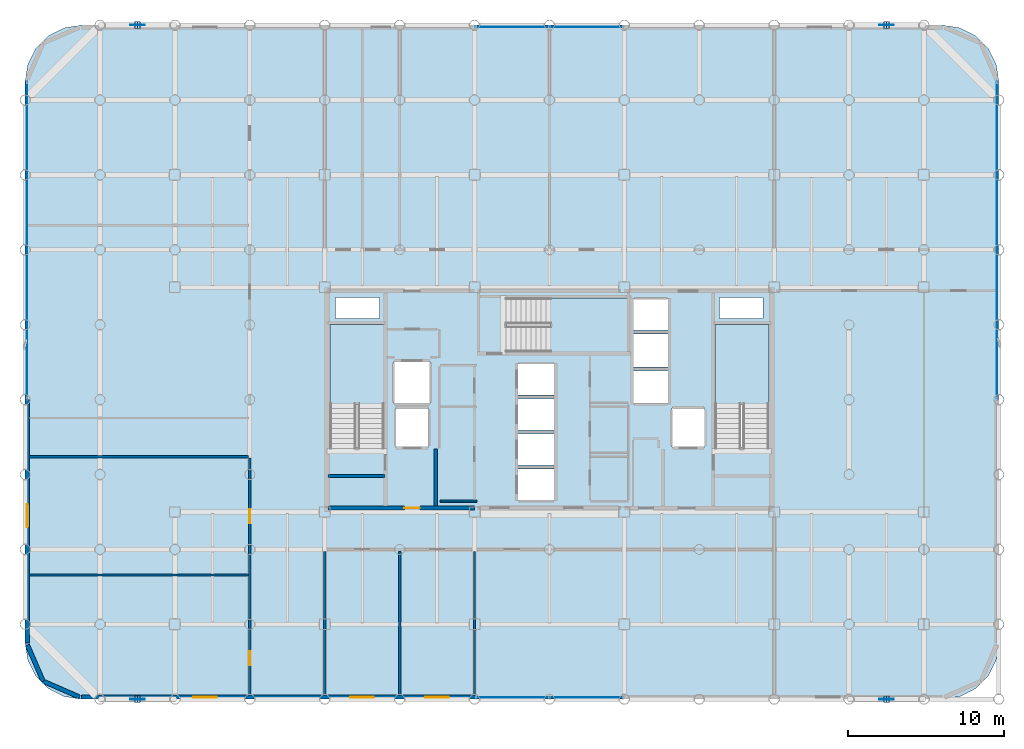
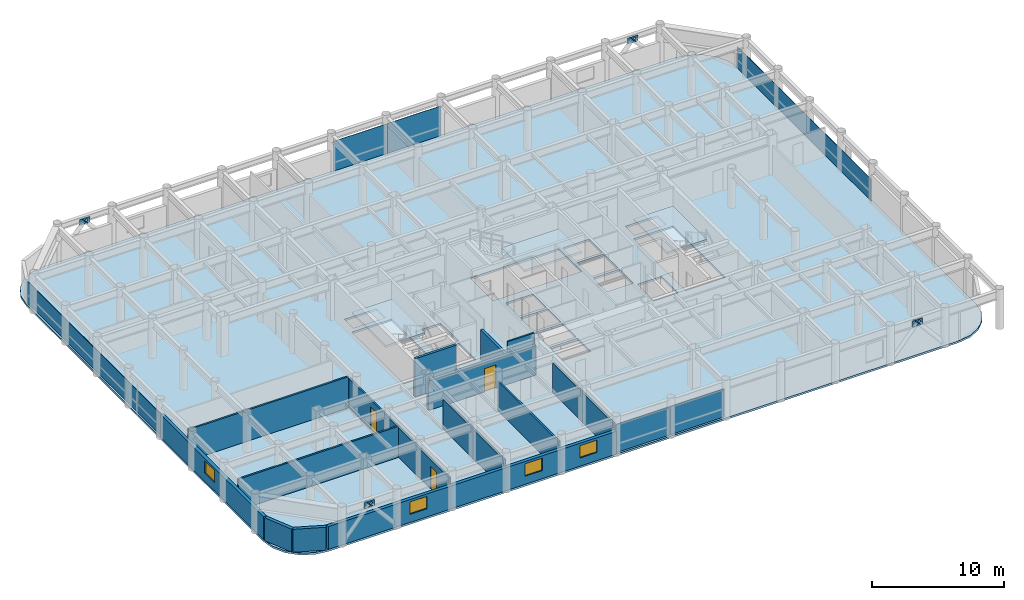
# One storey, part 15 of 19: 18 plates, 14 walls, 4 slabs, 4 windows, 3 doors, 7 openings, 7 elements without a shape of their own.
"""IFC4 building model written with IfcOpenShell, lengths in metres."""

from ifc_helpers import new_model, si_unit, direction, frame, frame_2d, origin, origin_2d, place, context, subcontext, project, spatial, polyline, rectangle, outline, extrude, material, layer, layer_set, type_object, element, fill, aggregate, save


model = new_model("IFC4")

# Units and contexts
model_context = context("Model", 3, precision=1e-05, world=origin(), true_north=direction((0.0, 1.0)))
body_context = subcontext(model_context, "Body", "Model", "MODEL_VIEW")
ifc_project = project(units=[si_unit("LENGTHUNIT", "METRE"), si_unit("AREAUNIT", "SQUARE_METRE"), si_unit("VOLUMEUNIT", "CUBIC_METRE"), si_unit("PLANEANGLEUNIT", "RADIAN"), si_unit("MASSUNIT", "GRAM", prefix="KILO")], contexts=[model_context])

# Site, building, storey
site_placement = place(None, origin())
site = spatial("IfcSite", under=ifc_project, at=site_placement, CompositionType="ELEMENT")
building_placement = place(site_placement, origin())
building = spatial("IfcBuilding", under=site, at=building_placement, Name="Kallvorn Hotel Tower", CompositionType="ELEMENT")
storey_placement = place(building_placement, frame((0.0, 0.0, 147.0)))
storey = spatial("IfcBuildingStorey", under=building, at=storey_placement, Name="L36", CompositionType="ELEMENT", Elevation=147.0)

# Curtain wall, plates
ifc_material_1 = material(Name="Thermally broken black-anodised aluminium AA 6063-T6", Category="aluminium")
ifc_layer_1 = layer(ifc_material_1, 0.2099609375)
ifc_layer_set_1 = layer_set([ifc_layer_1], Name="CW_SYS_4_HOTEL_MID")
curtain_wall_type = type_object("IfcCurtainWallType", Name="CW_SYS_4_HOTEL_MID", PredefinedType="USERDEFINED", material=ifc_layer_set_1)
curtain_wall_1_placement = place(storey_placement, origin())
curtain_wall_1 = element("IfcCurtainWall", 1, at=curtain_wall_1_placement, inside=storey, type_object=curtain_wall_type, Name="L36 Dark-Glass Curtain Wall CW-L36-SC", ObjectType="UNITISED CURTAIN WALL", PredefinedType="USERDEFINED")
ifc_material_2 = material(Name="Double-glazed low-e solar-control dark glass", Category="glass")
ifc_layer_2 = layer(ifc_material_2, 0.037841796875)
ifc_layer_set_2 = layer_set([ifc_layer_2], Name="CW_SYS_4_HOTEL_MID_PANEL")
plate_type_1 = type_object("IfcPlateType", Name="CW_SYS_4_HOTEL_MID_PANEL", PredefinedType="CURTAIN_PANEL", material=ifc_layer_set_2)
plate_1_placement = place(storey_placement, frame((-2.375, -19.080078125, 0.06005859375), z_axis=(0.0, 0.0, 1.0), x_axis=(1.0, 0.0, 0.0)))
plate_1 = element("IfcPlate", 2, at=plate_1_placement, type_object=plate_type_1, Name="CW-L36-SC Vision Glass Panel 00", PredefinedType="CURTAIN_PANEL", context=body_context, shape_type="SweptSolid", body=[
    extrude(rectangle(XDim=4.68994140625, YDim=0.037841796875, at=origin_2d()), origin(), (0.0, 0.0, 1.0), 2.60009765625),
])
plate_2_placement = place(storey_placement, frame((2.375, -19.080078125, 0.06005859375), z_axis=(0.0, 0.0, 1.0), x_axis=(1.0, 0.0, 0.0)))
plate_2 = element("IfcPlate", 3, at=plate_2_placement, type_object=plate_type_1, Name="CW-L36-SC Vision Glass Panel 01", PredefinedType="CURTAIN_PANEL", context=body_context, shape_type="SweptSolid", body=[
    extrude(rectangle(XDim=4.68994140625, YDim=0.037841796875, at=origin_2d()), origin(), (0.0, 0.0, 1.0), 2.60009765625),
])
aggregate(curtain_wall_1, [plate_1, plate_2])

curtain_wall_2_placement = place(storey_placement, origin())
curtain_wall_2 = element("IfcCurtainWall", 4, at=curtain_wall_2_placement, inside=storey, type_object=curtain_wall_type, Name="L36 Dark-Glass Curtain Wall CW-L36-NC", ObjectType="UNITISED CURTAIN WALL", PredefinedType="USERDEFINED")
plate_3_placement = place(storey_placement, frame((-2.375, 23.8798828125, 0.06005859375), z_axis=(0.0, 0.0, 1.0), x_axis=(1.0, 0.0, 0.0)))
plate_3 = element("IfcPlate", 5, at=plate_3_placement, type_object=plate_type_1, Name="CW-L36-NC Vision Glass Panel 00", PredefinedType="CURTAIN_PANEL", context=body_context, shape_type="SweptSolid", body=[
    extrude(rectangle(XDim=4.68994140625, YDim=0.037841796875, at=origin_2d()), origin(), (0.0, 0.0, 1.0), 2.75),
])
plate_4_placement = place(storey_placement, frame((2.375, 23.8798828125, 0.06005859375), z_axis=(0.0, 0.0, 1.0), x_axis=(1.0, 0.0, 0.0)))
plate_4 = element("IfcPlate", 6, at=plate_4_placement, type_object=plate_type_1, Name="CW-L36-NC Vision Glass Panel 01", PredefinedType="CURTAIN_PANEL", context=body_context, shape_type="SweptSolid", body=[
    extrude(rectangle(XDim=4.68994140625, YDim=0.037841796875, at=origin_2d()), origin(), (0.0, 0.0, 1.0), 2.75),
])
aggregate(curtain_wall_2, [plate_3, plate_4])

# Curtain wall, plate
curtain_wall_3_placement = place(storey_placement, origin())
curtain_wall_3 = element("IfcCurtainWall", 7, at=curtain_wall_3_placement, inside=storey, type_object=curtain_wall_type, Name="L36 Dark-Glass Curtain Wall CW-L36-WN", ObjectType="UNITISED CURTAIN WALL", PredefinedType="USERDEFINED")
plate_5_placement = place(storey_placement, frame((-33.47998046875, 10.2099609375, 0.06005859375), z_axis=(0.0, 0.0, 1.0), x_axis=(0.0, 1.0, 0.0)))
plate_5 = element("IfcPlate", 8, at=plate_5_placement, type_object=plate_type_1, Name="CW-L36-WN Vision Glass Panel 00", PredefinedType="CURTAIN_PANEL", context=body_context, shape_type="SweptSolid", body=[
    extrude(rectangle(XDim=20.320068359375, YDim=0.037841796875, at=origin_2d()), origin(), (0.0, 0.0, 1.0), 2.0),
])
aggregate(curtain_wall_3, [plate_5])

curtain_wall_4_placement = place(storey_placement, origin())
curtain_wall_4 = element("IfcCurtainWall", 9, at=curtain_wall_4_placement, inside=storey, type_object=curtain_wall_type, Name="L36 Dark-Glass Curtain Wall CW-L36-EN", ObjectType="UNITISED CURTAIN WALL", PredefinedType="USERDEFINED")
plate_6_placement = place(storey_placement, frame((28.679931640625, 10.2099609375, 0.06005859375), z_axis=(0.0, 0.0, 1.0), x_axis=(0.0, 1.0, 0.0)))
plate_6 = element("IfcPlate", 10, at=plate_6_placement, type_object=plate_type_1, Name="CW-L36-EN Vision Glass Panel 00", PredefinedType="CURTAIN_PANEL", context=body_context, shape_type="SweptSolid", body=[
    extrude(rectangle(XDim=20.320068359375, YDim=0.037841796875, at=origin_2d()), origin(), (0.0, 0.0, 1.0), 2.0),
])
aggregate(curtain_wall_4, [plate_6])

# Plates
ifc_material_3 = material(Name="Structural steel S355JR", Category="steel")
ifc_layer_3 = layer(ifc_material_3, 0.030029296875)
ifc_layer_set_3 = layer_set([ifc_layer_3], Name="PLT_CAP_30")
plate_type_2 = type_object("IfcPlateType", Name="PLT_CAP_30", PredefinedType="SHEET", material=ifc_layer_set_3)
plate_7_placement = place(storey_placement, frame((-26.227294921875, -19.417724609375, 2.876708984375), z_axis=(0.646720691081, 0.0, 0.762726915565), x_axis=(0.0, 1.0, 0.0)))
element("IfcPlate", 11, at=plate_7_placement, inside=storey, type_object=plate_type_2, Name="EXO-L36-S1A End Cap Plate B", PredefinedType="SHEET", context=body_context, shape_type="SweptSolid", body=[
    extrude(outline(polyline([(0.0, 0.0), (0.435546875, 0.0), (0.435546875, 0.4356413597636253), (0.0, 0.4356413597636253), (0.0, 0.0)])), origin(), (0.0, 0.0, -1.0), 0.030029296875),
])
plate_8_placement = place(storey_placement, frame((-26.572509765625, -18.982177734375, 2.876708984375), z_axis=(-0.646997204148, 0.0, 0.762492372306), x_axis=(0.0, -1.0, 0.0)))
element("IfcPlate", 12, at=plate_8_placement, inside=storey, type_object=plate_type_2, Name="EXO-L36-S1B End Cap Plate B", PredefinedType="SHEET", context=body_context, shape_type="SweptSolid", body=[
    extrude(outline(polyline([(0.0, 0.0), (0.435546875, 0.0), (0.435546875, 0.43545517576240456), (0.0, 0.43545517576240456), (0.0, 0.0)])), origin(), (0.0, 0.0, -1.0), 0.030029296875),
])
plate_9_placement = place(storey_placement, frame((21.772705078125, -19.417724609375, 2.876708984375), z_axis=(0.646720691081, 0.0, 0.762726915565), x_axis=(0.0, 1.0, 0.0)))
element("IfcPlate", 13, at=plate_9_placement, inside=storey, type_object=plate_type_2, Name="EXO-L36-S2A End Cap Plate B", PredefinedType="SHEET", context=body_context, shape_type="SweptSolid", body=[
    extrude(outline(polyline([(0.0, 0.0), (0.435546875, 0.0), (0.435546875, 0.4356413597636253), (0.0, 0.4356413597636253), (0.0, 0.0)])), origin(), (0.0, 0.0, -1.0), 0.030029296875),
])
plate_10_placement = place(storey_placement, frame((21.427490234375, -18.982177734375, 2.876708984375), z_axis=(-0.646997204148, 0.0, 0.762492372306), x_axis=(0.0, -1.0, 0.0)))
element("IfcPlate", 14, at=plate_10_placement, inside=storey, type_object=plate_type_2, Name="EXO-L36-S2B End Cap Plate B", PredefinedType="SHEET", context=body_context, shape_type="SweptSolid", body=[
    extrude(outline(polyline([(0.0, 0.0), (0.435546875, 0.0), (0.435546875, 0.43545517576240456), (0.0, 0.43545517576240456), (0.0, 0.0)])), origin(), (0.0, 0.0, -1.0), 0.030029296875),
])
plate_11_placement = place(storey_placement, frame((-26.227294921875, 23.7822265625, 2.876708984375), z_axis=(0.646720691081, 0.0, 0.762726915565), x_axis=(0.0, 1.0, 0.0)))
element("IfcPlate", 15, at=plate_11_placement, inside=storey, type_object=plate_type_2, Name="EXO-L36-N1A End Cap Plate B", PredefinedType="SHEET", context=body_context, shape_type="SweptSolid", body=[
    extrude(outline(polyline([(0.0, 0.0), (0.435546875, 0.0), (0.435546875, 0.4356413597636253), (0.0, 0.4356413597636253), (0.0, 0.0)])), origin(), (0.0, 0.0, -1.0), 0.030029296875),
])
plate_12_placement = place(storey_placement, frame((-26.572509765625, 24.2177734375, 2.876708984375), z_axis=(-0.646997204148, 0.0, 0.762492372306), x_axis=(0.0, -1.0, 0.0)))
element("IfcPlate", 16, at=plate_12_placement, inside=storey, type_object=plate_type_2, Name="EXO-L36-N1B End Cap Plate B", PredefinedType="SHEET", context=body_context, shape_type="SweptSolid", body=[
    extrude(outline(polyline([(0.0, 0.0), (0.435546875, 0.0), (0.435546875, 0.43545517576240456), (0.0, 0.43545517576240456), (0.0, 0.0)])), origin(), (0.0, 0.0, -1.0), 0.030029296875),
])
plate_13_placement = place(storey_placement, frame((21.772705078125, 23.7822265625, 2.876708984375), z_axis=(0.646720691081, 0.0, 0.762726915565), x_axis=(0.0, 1.0, 0.0)))
element("IfcPlate", 17, at=plate_13_placement, inside=storey, type_object=plate_type_2, Name="EXO-L36-N2A End Cap Plate B", PredefinedType="SHEET", context=body_context, shape_type="SweptSolid", body=[
    extrude(outline(polyline([(0.0, 0.0), (0.435546875, 0.0), (0.435546875, 0.4356413597636253), (0.0, 0.4356413597636253), (0.0, 0.0)])), origin(), (0.0, 0.0, -1.0), 0.030029296875),
])
plate_14_placement = place(storey_placement, frame((21.427490234375, 24.2177734375, 2.876708984375), z_axis=(-0.646997204148, 0.0, 0.762492372306), x_axis=(0.0, -1.0, 0.0)))
element("IfcPlate", 18, at=plate_14_placement, inside=storey, type_object=plate_type_2, Name="EXO-L36-N2B End Cap Plate B", PredefinedType="SHEET", context=body_context, shape_type="SweptSolid", body=[
    extrude(outline(polyline([(0.0, 0.0), (0.435546875, 0.0), (0.435546875, 0.43545517576240456), (0.0, 0.43545517576240456), (0.0, 0.0)])), origin(), (0.0, 0.0, -1.0), 0.030029296875),
])
ifc_material_4 = material(Name="Structural steel S355JR", Category="steel")
ifc_layer_4 = layer(ifc_material_4, 0.044921875)
ifc_layer_set_4 = layer_set([ifc_layer_4], Name="PLT_GUSSET_45")
plate_type_3 = type_object("IfcPlateType", Name="PLT_GUSSET_45", PredefinedType="USERDEFINED", material=ifc_layer_set_4)
for number, where, z_axis, x_axis, name in (
    (19, (-26.39990234375, -19.199951171875, 2.68994140625), (0.0, 0.0, 1.0), (1.0, 0.0, 0.0), "L36 Exoskeleton Node Gusset S1"),
    (20, (21.60009765625, -19.199951171875, 2.68994140625), (0.0, 0.0, 1.0), (1.0, 0.0, 0.0), "L36 Exoskeleton Node Gusset S2"),
    (21, (-26.39990234375, 24.0, 2.68994140625), (0.0, 0.0, 1.0), (1.0, 0.0, 0.0), "L36 Exoskeleton Node Gusset N1"),
    (22, (21.60009765625, 24.0, 2.68994140625), (0.0, 0.0, 1.0), (1.0, 0.0, 0.0), "L36 Exoskeleton Node Gusset N2"),
):
    element("IfcPlate", number, at=place(storey_placement, frame(where, z_axis=z_axis, x_axis=x_axis)), inside=storey, type_object=plate_type_3, Name=name, ObjectType="GUSSET PLATE", PredefinedType="USERDEFINED", context=body_context, shape_type="SweptSolid", body=[
        extrude(rectangle(XDim=0.89990234375, YDim=0.044921875, at=origin_2d()), origin(), (0.0, 0.0, 1.0), 0.56005859375),
    ])

# Stair, slab
ifc_material_5 = material(Name="Precast concrete C40/50", Category="concrete")
stair_type = type_object("IfcStairType", Name="STR_CORE_DOGLEG", PredefinedType="HALF_TURN_STAIR", material=ifc_material_5)
stair_1_placement = place(storey_placement, origin())
stair_1 = element("IfcStair", 23, at=stair_1_placement, inside=storey, type_object=stair_type, Name="L36 Exit stair ST1", PredefinedType="HALF_TURN_STAIR")
ifc_material_6 = material(Name="Precast concrete C40/50", Category="concrete")
ifc_layer_5 = layer(ifc_material_6, 0.179931640625)
ifc_layer_set_5 = layer_set([ifc_layer_5], Name="SLB_LANDING_180")
slab_type_1 = type_object("IfcSlabType", Name="SLB_LANDING_180", PredefinedType="LANDING", material=ifc_layer_set_5)
slab_1_placement = place(storey_placement, frame((0.0, 0.0, 1.64990234375)))
slab_1 = element("IfcSlab", 24, at=slab_1_placement, type_object=slab_type_1, Name="ST1 landing 1", PredefinedType="LANDING", context=body_context, shape_type="SweptSolid", body=[
    extrude(outline(polyline([(-10.60009765625, -0.31005859375), (-10.60009765625, 4.800048828125), (-14.06005859375, 4.800048828125), (-14.06005859375, -0.31005859375), (-10.60009765625, -0.31005859375)])), origin(), (0.0, 0.0, 1.0), 0.2001953125),
])
aggregate(stair_1, [slab_1])

stair_2_placement = place(storey_placement, origin())
stair_2 = element("IfcStair", 25, at=stair_2_placement, inside=storey, type_object=stair_type, Name="L36 Exit stair ST2", PredefinedType="HALF_TURN_STAIR")
slab_2_placement = place(storey_placement, frame((0.0, 0.0, 1.64990234375)))
slab_2 = element("IfcSlab", 26, at=slab_2_placement, type_object=slab_type_1, Name="ST2 landing 1", PredefinedType="LANDING", context=body_context, shape_type="SweptSolid", body=[
    extrude(outline(polyline([(14.06005859375, -0.31005859375), (14.06005859375, 4.800048828125), (10.60009765625, 4.800048828125), (10.60009765625, -0.31005859375), (14.06005859375, -0.31005859375)])), origin(), (0.0, 0.0, 1.0), 0.2001953125),
])
aggregate(stair_2, [slab_2])

stair_3_placement = place(storey_placement, origin())
stair_3 = element("IfcStair", 27, at=stair_3_placement, inside=storey, type_object=stair_type, Name="L36 Exit stair ST3", PredefinedType="HALF_TURN_STAIR")
slab_3_placement = place(storey_placement, frame((0.0, 0.0, 1.64990234375)))
slab_3 = element("IfcSlab", 28, at=slab_3_placement, type_object=slab_type_1, Name="ST3 landing 1", PredefinedType="LANDING", context=body_context, shape_type="SweptSolid", body=[
    extrude(outline(polyline([(0.0400390625, 3.050048828125), (5.050048828125, 3.050048828125), (5.050048828125, 6.510009765625), (0.0400390625, 6.510009765625), (0.0400390625, 3.050048828125)])), origin(), (0.0, 0.0, 1.0), 0.2001953125),
])
aggregate(stair_3, [slab_3])

# Slab
ifc_material_7 = material(Name="Concrete C40/50", Category="concrete")
ifc_layer_6 = layer(ifc_material_7, 0.179931640625)
ifc_layer_set_6 = layer_set([ifc_layer_6], Name="SLB_TOWER_180")
slab_type_2 = type_object("IfcSlabType", Name="SLB_TOWER_180", PredefinedType="FLOOR", material=ifc_layer_set_6)
slab_4_placement = place(storey_placement, frame((0.0, 0.0, -0.179931640625)))
element("IfcSlab", 29, at=slab_4_placement, inside=storey, type_object=slab_type_2, Name="L36 Structural Floor Slab", PredefinedType="FLOOR", context=body_context, shape_type="SweptSolid", body=[
    extrude(outline(polyline([(25.199951171875, -19.199951171875), (26.3125, -19.023681640625), (27.31591796875, -18.512451171875), (28.112548828125, -17.716064453125), (28.623779296875, -16.71240234375), (28.800048828125, -15.60009765625), (28.800048828125, 20.39990234375), (28.623779296875, 21.512451171875), (28.112548828125, 22.51611328125), (27.31591796875, 23.3125), (26.3125, 23.82373046875), (25.199951171875, 24.0), (-30.0, 24.0), (-31.112548828125, 23.82373046875), (-32.115966796875, 23.3125), (-32.91259765625, 22.51611328125), (-33.423828125, 21.512451171875), (-33.60009765625, 20.39990234375), (-33.60009765625, -15.60009765625), (-33.423828125, -16.71240234375), (-32.91259765625, -17.716064453125), (-32.115966796875, -18.512451171875), (-31.112548828125, -19.023681640625), (-30.0, -19.199951171875), (25.199951171875, -19.199951171875)]), holes=[polyline([(-10.60009765625, -3.070068359375), (-10.60009765625, 4.800048828125), (-14.06005859375, 4.800048828125), (-14.06005859375, -3.070068359375), (-10.60009765625, -3.070068359375)]), polyline([(14.06005859375, -3.070068359375), (14.06005859375, 4.800048828125), (10.60009765625, 4.800048828125), (10.60009765625, -3.070068359375), (14.06005859375, -3.070068359375)]), polyline([(-2.719970703125, 3.050048828125), (5.050048828125, 3.050048828125), (5.050048828125, 6.510009765625), (-2.719970703125, 6.510009765625), (-2.719970703125, 3.050048828125)]), polyline([(-2.050048828125, -6.449951171875), (0.35009765625, -6.449951171875), (0.35009765625, -4.449951171875), (-2.050048828125, -4.449951171875), (-2.050048828125, -6.449951171875)]), polyline([(-2.050048828125, -4.199951171875), (0.35009765625, -4.199951171875), (0.35009765625, -2.199951171875), (-2.050048828125, -2.199951171875), (-2.050048828125, -4.199951171875)]), polyline([(-2.050048828125, -1.949951171875), (0.35009765625, -1.949951171875), (0.35009765625, 0.050048828125), (-2.050048828125, 0.050048828125), (-2.050048828125, -1.949951171875)]), polyline([(-2.050048828125, 0.300048828125), (0.35009765625, 0.300048828125), (0.35009765625, 2.300048828125), (-2.050048828125, 2.300048828125), (-2.050048828125, 0.300048828125)]), polyline([(5.35009765625, -0.25), (7.64990234375, -0.25), (7.64990234375, 1.85009765625), (5.35009765625, 1.85009765625), (5.35009765625, -0.25)]), polyline([(5.35009765625, 2.10009765625), (7.64990234375, 2.10009765625), (7.64990234375, 4.199951171875), (5.35009765625, 4.199951171875), (5.35009765625, 2.10009765625)]), polyline([(5.35009765625, 4.449951171875), (7.64990234375, 4.449951171875), (7.64990234375, 6.449951171875), (5.35009765625, 6.449951171875), (5.35009765625, 4.449951171875)]), polyline([(-9.85009765625, -3.050048828125), (-7.75, -3.050048828125), (-7.75, -0.550048828125), (-9.85009765625, -0.550048828125), (-9.85009765625, -3.050048828125)]), polyline([(7.85009765625, -3.050048828125), (9.949951171875, -3.050048828125), (9.949951171875, -0.550048828125), (7.85009765625, -0.550048828125), (7.85009765625, -3.050048828125)]), polyline([(-9.949951171875, -0.25), (-7.64990234375, -0.25), (-7.64990234375, 2.449951171875), (-9.949951171875, 2.449951171875), (-9.949951171875, -0.25)]), polyline([(-13.699951171875, 5.199951171875), (-10.89990234375, 5.199951171875), (-10.89990234375, 6.550048828125), (-13.699951171875, 6.550048828125), (-13.699951171875, 5.199951171875)]), polyline([(10.89990234375, 5.199951171875), (13.699951171875, 5.199951171875), (13.699951171875, 6.550048828125), (10.89990234375, 6.550048828125), (10.89990234375, 5.199951171875)])]), origin(), (0.0, 0.0, 1.0), 0.179931640625),
])

# Walls
ifc_material_8 = material(Name="Precast basalt-clad insulated concrete wall C40/50", Category="masonry")
ifc_layer_7 = layer(ifc_material_8, 0.280029296875)
ifc_layer_set_7 = layer_set([ifc_layer_7], Name="WL_EXT_LOGGIA_280")
wall_type_1 = type_object("IfcWallType", Name="WL_EXT_LOGGIA_280", PredefinedType="SOLIDWALL", material=ifc_layer_set_7)
wall_1_placement = place(storey_placement, frame((-33.4580078125, -15.720703125, 0.0), z_axis=(0.0, 0.0, 1.0), x_axis=(0.398792985289, -0.917040977756, 0.0)))
element("IfcWall", 30, at=wall_1_placement, inside=storey, type_object=wall_type_1, Name="L36 Rounded Corner Exterior Wall SW1", PredefinedType="SOLIDWALL", context=body_context, shape_type="SweptSolid", body=[
    extrude(rectangle(XDim=2.536376953125, YDim=0.280029296875, at=frame_2d((1.26806640625, 0.0))), origin(), (0.0, 0.0, 1.0), 2.1201171875),
])
wall_2_placement = place(storey_placement, frame((-32.446533203125, -18.046630859375, 0.0), z_axis=(0.0, 0.0, 1.0), x_axis=(0.917060872934, -0.398747232384, 0.0)))
element("IfcWall", 31, at=wall_2_placement, inside=storey, type_object=wall_type_1, Name="L36 Rounded Corner Exterior Wall SW2", PredefinedType="SOLIDWALL", context=body_context, shape_type="SweptSolid", body=[
    extrude(rectangle(XDim=2.5361328125, YDim=0.280029296875, at=frame_2d((1.26806640625, 0.0))), origin(), (0.0, 0.0, 1.0), 2.1201171875),
])

# Wall, openings, windows
wall_3_placement = place(storey_placement, frame((-30.0, -19.06005859375, 0.0), z_axis=(0.0, 0.0, 1.0), x_axis=(1.0, 0.0, 0.0)))
wall_3 = element("IfcWall", 32, at=wall_3_placement, inside=storey, type_object=wall_type_1, Name="L36 Exterior Envelope Wall EW-L36-SW", PredefinedType="SOLIDWALL", context=body_context, shape_type="SweptSolid", body=[
    extrude(rectangle(XDim=25.25, YDim=0.280029296875, at=frame_2d((12.625, 0.0))), origin(), (0.0, 0.0, 1.0), 2.1201171875),
])
opening_1_placement = place(wall_3_placement, frame((7.1630859375, 0.0, 0.75)))
opening_1 = element("IfcOpeningElement", 33, at=opening_1_placement, cuts=wall_3, Name="Opening W05A", PredefinedType="OPENING", context=body_context, shape_type="SweptSolid", body=[
    extrude(rectangle(XDim=1.5, YDim=1.14990234375, at=frame_2d((0.75, 0.574951171875))), frame((0.0, 0.155029296875, 0.0), z_axis=(0.0, -1.0, 0.0), x_axis=(1.0, 0.0, 0.0)), (0.0, 0.0, 1.0), 0.31005859375),
])
opening_2_placement = place(wall_3_placement, frame((17.25, 0.0, 0.75)))
opening_2 = element("IfcOpeningElement", 34, at=opening_2_placement, cuts=wall_3, Name="Opening W05A", PredefinedType="OPENING", context=body_context, shape_type="SweptSolid", body=[
    extrude(rectangle(XDim=1.5, YDim=1.14990234375, at=frame_2d((0.75, 0.574951171875))), frame((0.0, 0.155029296875, 0.0), z_axis=(0.0, -1.0, 0.0), x_axis=(1.0, 0.0, 0.0)), (0.0, 0.0, 1.0), 0.31005859375),
])
opening_3_placement = place(wall_3_placement, frame((22.050048828125, 0.0, 0.75)))
opening_3 = element("IfcOpeningElement", 35, at=opening_3_placement, cuts=wall_3, Name="Opening W05A", PredefinedType="OPENING", context=body_context, shape_type="SweptSolid", body=[
    extrude(rectangle(XDim=1.5, YDim=1.14990234375, at=frame_2d((0.75, 0.574951171875))), frame((0.0, 0.155029296875, 0.0), z_axis=(0.0, -1.0, 0.0), x_axis=(1.0, 0.0, 0.0)), (0.0, 0.0, 1.0), 0.31005859375),
])
ifc_material_9 = material(Name="Double-glazed low-e solar-control dark glass", Category="glass")
window_type = type_object("IfcWindowType", Name="WN_HTL_1500x1150", PartitioningType="SINGLE_PANEL", PredefinedType="WINDOW", material=ifc_material_9)
window_1_placement = place(opening_1_placement, origin())
window_1 = element("IfcWindow", 36, at=window_1_placement, inside=storey, type_object=window_type, Name="L36 Guestroom Exterior Window 01", OverallHeight=1.14990234375, OverallWidth=1.5, PartitioningType="SINGLE_PANEL", PredefinedType="WINDOW", context=body_context, shape_type="SweptSolid", body=[
    extrude(rectangle(XDim=1.5, YDim=1.14990234375, at=frame_2d((0.75, 0.574951171875))), frame((0.0, 0.030029296875, 0.0), z_axis=(0.0, -1.0, 0.0), x_axis=(1.0, 0.0, 0.0)), (0.0, 0.0, 1.0), 0.06005859375),
])
fill(opening_1, window_1)
window_2_placement = place(opening_2_placement, origin())
window_2 = element("IfcWindow", 37, at=window_2_placement, inside=storey, type_object=window_type, Name="L36 Guestroom Exterior Window 06", OverallHeight=1.14990234375, OverallWidth=1.5, PartitioningType="SINGLE_PANEL", PredefinedType="WINDOW", context=body_context, shape_type="SweptSolid", body=[
    extrude(rectangle(XDim=1.5, YDim=1.14990234375, at=frame_2d((0.75, 0.574951171875))), frame((0.0, 0.030029296875, 0.0), z_axis=(0.0, -1.0, 0.0), x_axis=(1.0, 0.0, 0.0)), (0.0, 0.0, 1.0), 0.06005859375),
])
fill(opening_2, window_2)
window_3_placement = place(opening_3_placement, origin())
window_3 = element("IfcWindow", 38, at=window_3_placement, inside=storey, type_object=window_type, Name="L36 Guestroom Exterior Window 07", OverallHeight=1.14990234375, OverallWidth=1.5, PartitioningType="SINGLE_PANEL", PredefinedType="WINDOW", context=body_context, shape_type="SweptSolid", body=[
    extrude(rectangle(XDim=1.5, YDim=1.14990234375, at=frame_2d((0.75, 0.574951171875))), frame((0.0, 0.030029296875, 0.0), z_axis=(0.0, -1.0, 0.0), x_axis=(1.0, 0.0, 0.0)), (0.0, 0.0, 1.0), 0.06005859375),
])
fill(opening_3, window_3)

# Wall, opening, window
wall_4_placement = place(storey_placement, frame((-33.4599609375, -15.60009765625, 0.0), z_axis=(0.0, 0.0, 1.0), x_axis=(0.0, 1.0, 0.0)))
wall_4 = element("IfcWall", 39, at=wall_4_placement, inside=storey, type_object=wall_type_1, Name="L36 Exterior Envelope Wall EW-L36-WS", PredefinedType="SOLIDWALL", context=body_context, shape_type="SweptSolid", body=[
    extrude(rectangle(XDim=15.580078125, YDim=0.280029296875, at=frame_2d((7.7900390625, 0.0))), origin(), (0.0, 0.0, 1.0), 2.1201171875),
])
opening_4_placement = place(wall_4_placement, frame((7.412109375, 0.0, 0.75)))
opening_4 = element("IfcOpeningElement", 40, at=opening_4_placement, cuts=wall_4, Name="Opening W05A", PredefinedType="OPENING", context=body_context, shape_type="SweptSolid", body=[
    extrude(rectangle(XDim=1.5, YDim=1.14990234375, at=frame_2d((0.75, 0.574951171875))), frame((0.0, 0.155029296875, 0.0), z_axis=(0.0, -1.0, 0.0), x_axis=(1.0, 0.0, 0.0)), (0.0, 0.0, 1.0), 0.31005859375),
])
window_4_placement = place(opening_4_placement, origin())
window_4 = element("IfcWindow", 41, at=window_4_placement, inside=storey, type_object=window_type, Name="L36 Flank Wing Window 02", OverallHeight=1.14990234375, OverallWidth=1.5, PartitioningType="SINGLE_PANEL", PredefinedType="WINDOW", context=body_context, shape_type="SweptSolid", body=[
    extrude(rectangle(XDim=1.5, YDim=1.14990234375, at=frame_2d((0.75, 0.574951171875))), frame((0.0, 0.030029296875, 0.0), z_axis=(0.0, -1.0, 0.0), x_axis=(1.0, 0.0, 0.0)), (0.0, 0.0, 1.0), 0.06005859375),
])
fill(opening_4, window_4)

# Walls
ifc_material_10 = material(Name="Concrete C40/50", Category="concrete")
ifc_layer_8 = layer(ifc_material_10, 0.219970703125)
ifc_layer_set_8 = layer_set([ifc_layer_8], Name="WL_FFL_220")
wall_type_2 = type_object("IfcWallType", Name="WL_FFL_220", PredefinedType="SOLIDWALL", material=ifc_layer_set_8)
wall_5_placement = place(storey_placement, frame((-7.300048828125, -6.820068359375, 0.0), z_axis=(0.0, 0.0, 1.0), x_axis=(0.0, 1.0, 0.0)))
element("IfcWall", 42, at=wall_5_placement, inside=storey, type_object=wall_type_2, Name="L36 Firefighting Lobby West Divider Wall", PredefinedType="SOLIDWALL", context=body_context, shape_type="SweptSolid", body=[
    extrude(rectangle(XDim=3.670166015625, YDim=0.219970703125, at=frame_2d((1.8349609375, 0.0))), origin(), (0.0, 0.0, 1.0), 2.719970703125),
])
ifc_material_11 = material(Name="Concrete C40/50", Category="concrete")
ifc_layer_9 = layer(ifc_material_11, 0.199951171875)
ifc_layer_set_9 = layer_set([ifc_layer_9], Name="WL_HOIST_200")
wall_type_3 = type_object("IfcWallType", Name="WL_HOIST_200", PredefinedType="SOLIDWALL", material=ifc_layer_set_9)
wall_6_placement = place(storey_placement, frame((-14.199951171875, -4.89990234375, -0.179931640625), z_axis=(0.0, 0.0, 1.0), x_axis=(1.0, 0.0, 0.0)))
element("IfcWall", 43, at=wall_6_placement, inside=storey, type_object=wall_type_3, Name="L36 Stair ST1 South Wall", PredefinedType="SOLIDWALL", context=body_context, shape_type="SweptSolid", body=[
    extrude(rectangle(XDim=3.64990234375, YDim=0.199951171875, at=frame_2d((1.824951171875, 0.0))), origin(), (0.0, 0.0, 1.0), 3.699951171875),
])
ifc_material_12 = material(Name="Fire-rated double-layer acoustic gypsum drywall EI 60")
ifc_layer_10 = layer(ifc_material_12, 0.1201171875)
ifc_layer_set_10 = layer_set([ifc_layer_10], Name="WL_INT_120")
wall_type_4 = type_object("IfcWallType", Name="WL_INT_120", PredefinedType="PARTITIONING", material=ifc_layer_set_10)
wall_7_placement = place(storey_placement, frame((-7.0, -6.5, 0.0), z_axis=(0.0, 0.0, 1.0), x_axis=(1.0, 0.0, 0.0)))
element("IfcWall", 44, at=wall_7_placement, inside=storey, type_object=wall_type_4, Name="L36 Recaptured Full-Depth Sommelier Store Partition", PredefinedType="PARTITIONING", context=body_context, shape_type="SweptSolid", body=[
    extrude(rectangle(XDim=2.35009765625, YDim=0.1201171875, at=frame_2d((1.175048828125, 0.0))), origin(), (0.0, 0.0, 1.0), 3.52001953125),
])
ifc_material_13 = material(Name="Fire-rated double-layer acoustic gypsum drywall EI 60")
ifc_layer_11 = layer(ifc_material_13, 0.14990234375)
ifc_layer_set_11 = layer_set([ifc_layer_11], Name="WL_PART_150")
wall_type_5 = type_object("IfcWallType", Name="WL_PART_150", PredefinedType="PARTITIONING", material=ifc_layer_set_11)
for number, where, z_axis, x_axis, name in (
    (45, (-33.31005859375, -11.235107421875, 0.0), (0.0, 0.0, 1.0), (1.0, 0.0, 0.0), "L36 L36 South-West Facade Cocktail Bar Partition"),
    (46, (-33.31005859375, -3.659912109375, 0.0), (0.0, 0.0, 1.0), (1.0, 0.0, 0.0), "L36 L36 South-West Spine Boutique Shop Partition"),
):
    element("IfcWall", number, at=place(storey_placement, frame(where, z_axis=z_axis, x_axis=x_axis)), inside=storey, type_object=wall_type_5, Name=name, PredefinedType="PARTITIONING", context=body_context, shape_type="SweptSolid", body=[
        extrude(rectangle(XDim=14.030029296875, YDim=0.14990234375, at=frame_2d((7.01513671875, 0.0))), origin(), (0.0, 0.0, 1.0), 2.8701171875),
    ])

# Wall, openings, doors
wall_8_placement = place(storey_placement, frame((-19.199951171875, -18.909912109375, 0.0), z_axis=(0.0, 0.0, 1.0), x_axis=(0.0, 1.0, 0.0)))
wall_8 = element("IfcWall", 47, at=wall_8_placement, inside=storey, type_object=wall_type_5, Name="L36 L36 South-West Facade Cocktail Bar Partition", PredefinedType="PARTITIONING", context=body_context, shape_type="SweptSolid", body=[
    extrude(rectangle(XDim=15.164794921875, YDim=0.14990234375, at=frame_2d((7.58251953125, 0.0))), origin(), (0.0, 0.0, 1.0), 2.719970703125),
])
opening_5_placement = place(wall_8_placement, frame((1.8984375, 0.0, 0.0)))
opening_5 = element("IfcOpeningElement", 48, at=opening_5_placement, cuts=wall_8, Name="Opening SVD1", PredefinedType="OPENING", context=body_context, shape_type="SweptSolid", body=[
    extrude(rectangle(XDim=0.89990234375, YDim=2.10009765625, at=frame_2d((0.449951171875, 1.050048828125))), frame((0.0, 0.08984375, 0.0), z_axis=(0.0, -1.0, 0.0), x_axis=(1.0, 0.0, 0.0)), (0.0, 0.0, 1.0), 0.179931640625),
])
opening_6_placement = place(wall_8_placement, frame((10.98193359375, 0.0, 0.0)))
opening_6 = element("IfcOpeningElement", 49, at=opening_6_placement, cuts=wall_8, Name="Opening SVD1", PredefinedType="OPENING", context=body_context, shape_type="SweptSolid", body=[
    extrude(rectangle(XDim=0.89990234375, YDim=2.10009765625, at=frame_2d((0.449951171875, 1.050048828125))), frame((0.0, 0.08984375, 0.0), z_axis=(0.0, -1.0, 0.0), x_axis=(1.0, 0.0, 0.0)), (0.0, 0.0, 1.0), 0.179931640625),
])
ifc_material_14 = material(Name="Galvanised painted steel fire-rated door assembly", Category="steel")
door_type_1 = type_object("IfcDoorType", Name="DR_SERV_900x2100", OperationType="NOTDEFINED", PredefinedType="DOOR", material=ifc_material_14)
door_1_placement = place(opening_5_placement, origin())
door_1 = element("IfcDoor", 50, at=door_1_placement, inside=storey, type_object=door_type_1, Name="L36 L36 South-West Facade Cocktail Bar Door", OperationType="SINGLE_SWING_LEFT", OverallHeight=2.10009765625, OverallWidth=0.89990234375, PredefinedType="DOOR", context=body_context, shape_type="SweptSolid", body=[
    extrude(rectangle(XDim=0.89990234375, YDim=2.10009765625, at=frame_2d((0.449951171875, 1.050048828125))), frame((0.0, 0.02490234375, 0.0), z_axis=(0.0, -1.0, 0.0), x_axis=(1.0, 0.0, 0.0)), (0.0, 0.0, 1.0), 0.050048828125),
])
fill(opening_5, door_1)
door_2_placement = place(opening_6_placement, origin())
door_2 = element("IfcDoor", 51, at=door_2_placement, inside=storey, type_object=door_type_1, Name="L36 L36 South-West Spine Boutique Shop Door", OperationType="SINGLE_SWING_RIGHT", OverallHeight=2.10009765625, OverallWidth=0.89990234375, PredefinedType="DOOR", context=body_context, shape_type="SweptSolid", body=[
    extrude(rectangle(XDim=0.89990234375, YDim=2.10009765625, at=frame_2d((0.449951171875, 1.050048828125))), frame((0.0, 0.02490234375, 0.0), z_axis=(0.0, -1.0, 0.0), x_axis=(1.0, 0.0, 0.0)), (0.0, 0.0, 1.0), 0.050048828125),
])
fill(opening_6, door_2)

# Walls
for number, where, z_axis, x_axis, name in (
    (52, (-14.39990234375, -18.909912109375, 0.0), (0.0, 0.0, 1.0), (0.0, 1.0, 0.0), "L36 L36 Thermal Hydrotherapy Treatment Suite 1-1 Partition"),
    (53, (-9.60009765625, -18.909912109375, 0.0), (0.0, 0.0, 1.0), (0.0, 1.0, 0.0), "L36 L36 Thermal Hydrotherapy Treatment Suite 1-1 Partition"),
    (54, (-4.800048828125, -18.909912109375, 0.0), (0.0, 0.0, 1.0), (0.0, 1.0, 0.0), "L36 L36 Restaurant Culinary Catering Kitchen 2 Partition"),
):
    element("IfcWall", number, at=place(storey_placement, frame(where, z_axis=z_axis, x_axis=x_axis)), inside=storey, type_object=wall_type_5, Name=name, PredefinedType="PARTITIONING", context=body_context, shape_type="SweptSolid", body=[
        extrude(rectangle(XDim=9.18994140625, YDim=0.14990234375, at=frame_2d((4.594970703125, 0.0))), origin(), (0.0, 0.0, 1.0), 2.719970703125),
    ])

# Wall, opening, door
ifc_material_15 = material(Name="Concrete C40/50", Category="concrete")
ifc_layer_12 = layer(ifc_material_15, 0.25)
ifc_layer_set_12 = layer_set([ifc_layer_12], Name="WL_SHAFT_250")
wall_type_6 = type_object("IfcWallType", Name="WL_SHAFT_250", PredefinedType="SOLIDWALL", material=ifc_layer_set_12)
wall_9_placement = place(storey_placement, frame((-14.199951171875, -6.949951171875, 0.0), z_axis=(0.0, 0.0, 1.0), x_axis=(1.0, 0.0, 0.0)))
wall_9 = element("IfcWall", 55, at=wall_9_placement, inside=storey, type_object=wall_type_6, Name="L36 Core South-West Wall", PredefinedType="SOLIDWALL", context=body_context, shape_type="SweptSolid", body=[
    extrude(rectangle(XDim=9.39990234375, YDim=0.25, at=frame_2d((4.699951171875, 0.0))), origin(), (0.0, 0.0, 1.0), 2.719970703125),
])
opening_7_placement = place(wall_9_placement, frame((4.89990234375, 0.0, 0.0)))
opening_7 = element("IfcOpeningElement", 56, at=opening_7_placement, cuts=wall_9, Name="Opening FD1", PredefinedType="OPENING", context=body_context, shape_type="SweptSolid", body=[
    extrude(rectangle(XDim=1.0, YDim=2.14990234375, at=frame_2d((0.5, 1.074951171875))), frame((0.0, 0.139892578125, 0.0), z_axis=(0.0, -1.0, 0.0), x_axis=(1.0, 0.0, 0.0)), (0.0, 0.0, 1.0), 0.280029296875),
])
ifc_material_16 = material(Name="Galvanised painted steel fire-rated door assembly", Category="steel")
door_type_2 = type_object("IfcDoorType", Name="DR_FFL_1000x2150", OperationType="NOTDEFINED", PredefinedType="DOOR", material=ifc_material_16)
door_3_placement = place(opening_7_placement, origin())
door_3 = element("IfcDoor", 57, at=door_3_placement, inside=storey, type_object=door_type_2, Name="L36 Firefighting Lobby West Door", OperationType="SINGLE_SWING_LEFT", OverallHeight=2.14990234375, OverallWidth=1.0, PredefinedType="DOOR", context=body_context, shape_type="SweptSolid", body=[
    extrude(rectangle(XDim=1.0, YDim=2.14990234375, at=frame_2d((0.5, 1.074951171875))), frame((0.0, 0.02490234375, 0.0), z_axis=(0.0, -1.0, 0.0), x_axis=(1.0, 0.0, 0.0)), (0.0, 0.0, 1.0), 0.050048828125),
])
fill(opening_7, door_3)

save(model, "model.ifc")
